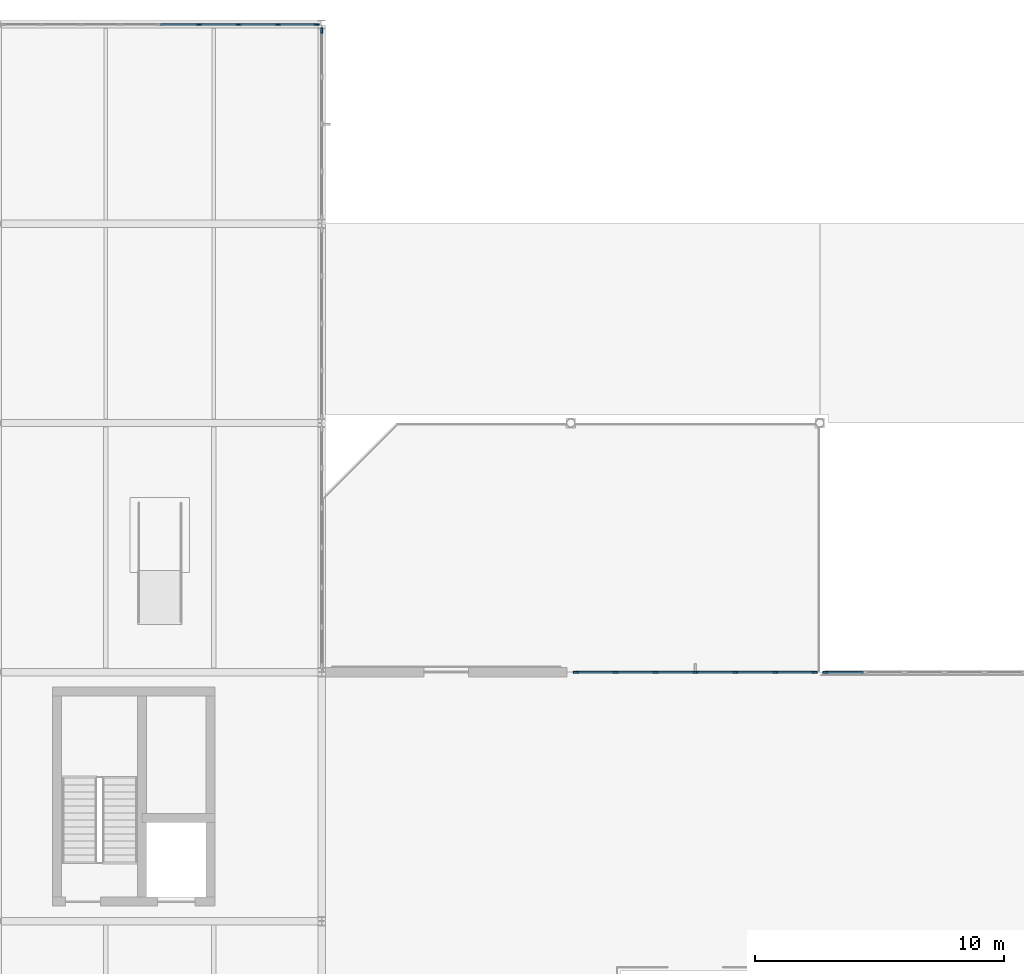
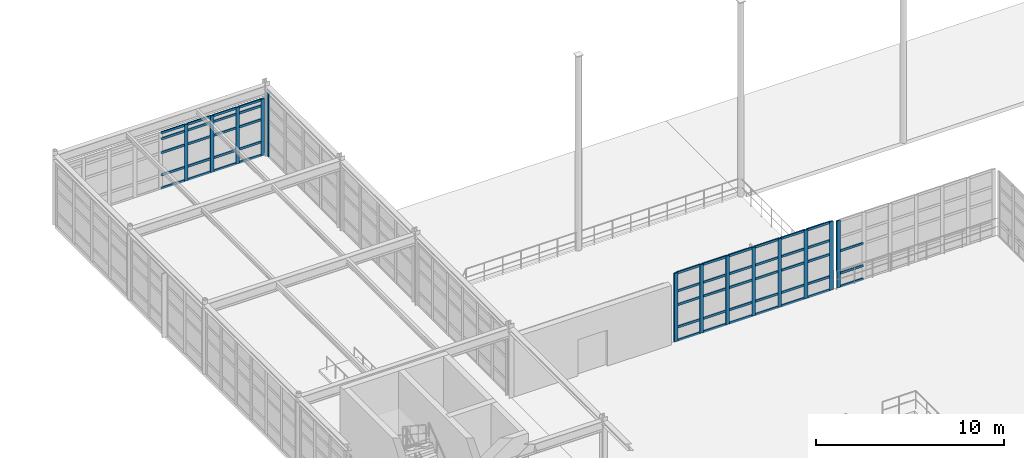
# One storey, part 53 of 139: 66 members, 4 elements without a shape of their own.
"""IFC4 building model written with IfcOpenShell, lengths in metres."""

import ifcopenshell
import ifcopenshell.guid

model = None  # the IFC model being written
_history = None  # IfcOwnerHistory: only IFC2X3 demands one
_inside = {}  # id of a spatial element -> (the spatial element, [elements in it])
_under = {}  # id of a project, library or spatial element -> (it, [spatial elements below it])
_declared = {}  # id of a project -> (the project, [libraries it declares])
_typed = {}  # id of a type object -> (the type object, [elements of that type])
_made_of = {}  # id of a material, layer set ... -> (it, [elements and type objects made of it])


def new_model(schema):
    """Start an empty IFC model of exactly this schema.

    Asked for "IFC4X3", IfcOpenShell would pick the latest addendum, in which some entities
    have other attributes; the version numbers below select the first issue.
    IFC2X3 requires an IfcOwnerHistory on every rooted entity: one is made here for all.
    """
    global model, _history
    if schema == "IFC4X3":
        model = ifcopenshell.file(schema_version=(4, 3, 0, 0))
    else:
        model = ifcopenshell.file(schema=schema)
    _inside.clear()
    _under.clear()
    _declared.clear()
    _typed.clear()
    _made_of.clear()
    _history = None
    if model.schema == "IFC2X3":
        org = make("IfcOrganization", Name="unknown")
        user = make(
            "IfcPersonAndOrganization",
            ThePerson=make("IfcPerson", FamilyName="unknown"),
            TheOrganization=org,
        )
        app = make(
            "IfcApplication",
            ApplicationDeveloper=org,
            Version="unknown",
            ApplicationFullName="unknown",
            ApplicationIdentifier="unknown",
        )
        _history = make(
            "IfcOwnerHistory",
            OwningUser=user,
            OwningApplication=app,
            ChangeAction="ADDED",
            CreationDate=0,
        )
    return model


def make(cls, **values):
    """One entity of the class cls with the attributes given. An attribute that is None is left unset."""
    return model.create_entity(
        cls, **{name: value for name, value in values.items() if value is not None}
    )


def rooted(cls, **values):
    """An entity with a GlobalId (a new one), such as an element, a storey or a relation."""
    return make(cls, GlobalId=ifcopenshell.guid.new(), OwnerHistory=_history, **values)


def si_unit(unit_type, name, prefix=None):
    """IfcSIUnit, for example si_unit("LENGTHUNIT", "METRE", prefix="MILLI")."""
    return make("IfcSIUnit", UnitType=unit_type, Prefix=prefix, Name=name)


def assignment(units):
    """IfcUnitAssignment: the units of a project."""
    return None if units is None else make("IfcUnitAssignment", Units=units)


def point(xyz):
    """IfcCartesianPoint."""
    return None if xyz is None else make("IfcCartesianPoint", Coordinates=xyz)


def direction(xyz):
    """IfcDirection."""
    return None if xyz is None else make("IfcDirection", DirectionRatios=xyz)


def frame(location, z_axis=None, x_axis=None):
    """IfcAxis2Placement3D, a coordinate frame: its origin and axes. An axis left out is left unset."""
    return make(
        "IfcAxis2Placement3D",
        Location=point(location),
        Axis=direction(z_axis),
        RefDirection=direction(x_axis),
    )


def frame_2d(location, x_axis=None):
    """IfcAxis2Placement2D, a coordinate frame in the plane: its origin and x axis."""
    return make(
        "IfcAxis2Placement2D", Location=point(location), RefDirection=direction(x_axis)
    )


def origin():
    """The frame at (0, 0, 0) with its axes left unset."""
    return frame((0.0, 0.0, 0.0))


def origin_2d():
    """The frame at (0, 0) in the plane with its x axis left unset."""
    return frame_2d((0.0, 0.0))


def place(relative_to, where):
    """IfcLocalPlacement: puts the frame where relative to a parent placement (None: the world)."""
    return make(
        "IfcLocalPlacement", PlacementRelTo=relative_to, RelativePlacement=where
    )


def context(
    kind, dimensions, precision=None, world=None, true_north=None, identifier=None
):
    """IfcGeometricRepresentationContext, for example the 3D "Model" context."""
    return make(
        "IfcGeometricRepresentationContext",
        ContextIdentifier=identifier,
        ContextType=kind,
        CoordinateSpaceDimension=dimensions,
        Precision=precision,
        WorldCoordinateSystem=world,
        TrueNorth=true_north,
    )


def subcontext(parent, identifier, kind, view, scale=None):
    """IfcGeometricRepresentationSubContext, for example "Body" below "Model"."""
    return make(
        "IfcGeometricRepresentationSubContext",
        ContextIdentifier=identifier,
        ContextType=kind,
        ParentContext=parent,
        TargetScale=scale,
        TargetView=view,
    )


def project(units=None, contexts=None):
    """IfcProject with its units and contexts."""
    return rooted(
        "IfcProject",
        Name="project",
        RepresentationContexts=contexts,
        UnitsInContext=assignment(units),
    )


def spatial(cls, under=None, at=None, **own):
    """A site, building, storey or space (cls), placed at a placement, below another one or the project."""
    s = rooted(cls, ObjectPlacement=at, **own)
    if under is not None:
        _under.setdefault(under.id(), (under, []))[1].append(s)
    return s


def profile(cls, at=None, kind="AREA", **sizes):
    """A parametric profile (cls). Its sizes go by their IFC names, for example OverallWidth=200.0."""
    return make(cls, ProfileType=kind, Position=at, **sizes)


def rectangle(**sizes):
    """IfcRectangleProfileDef."""
    return profile("IfcRectangleProfileDef", **sizes)


def extrude(swept, where, along, depth):
    """IfcExtrudedAreaSolid: the profile swept, set in the frame where, extruded along a direction by depth."""
    return make(
        "IfcExtrudedAreaSolid",
        SweptArea=swept,
        Position=where,
        ExtrudedDirection=direction(along),
        Depth=depth,
    )


def shape(context_of_items, identifier, shape_type, items):
    """IfcShapeRepresentation: the items that make up one representation, for example the "Body"."""
    return make(
        "IfcShapeRepresentation",
        ContextOfItems=context_of_items,
        RepresentationIdentifier=identifier,
        RepresentationType=shape_type,
        Items=items,
    )


def material(Name=None, Category=None):
    """IfcMaterial."""
    return make("IfcMaterial", Name=Name, Category=Category)


def layer(
    of_material, thickness, ventilated=None, Name=None, Category=None, Priority=None
):
    """IfcMaterialLayer: one layer of a wall or slab, of a material (None: an air gap)."""
    return make(
        "IfcMaterialLayer",
        Material=of_material,
        LayerThickness=thickness,
        IsVentilated=ventilated,
        Name=Name,
        Category=Category,
        Priority=Priority,
    )


def layer_set(layers, Name=None):
    """IfcMaterialLayerSet."""
    return make("IfcMaterialLayerSet", MaterialLayers=layers, LayerSetName=Name)


def material_profile(
    of_material, cross_section, Name=None, Category=None, Priority=None
):
    """IfcMaterialProfile: a cross section and its material."""
    return make(
        "IfcMaterialProfile",
        Name=Name,
        Material=of_material,
        Profile=cross_section,
        Priority=Priority,
        Category=Category,
    )


def profile_set(profiles, Name=None, composite=None):
    """IfcMaterialProfileSet."""
    return make(
        "IfcMaterialProfileSet",
        Name=Name,
        MaterialProfiles=profiles,
        CompositeProfile=composite,
    )


def made_of(thing, what):
    """Note that an element or type object is made of a material, layer set ...; save() writes the relation."""
    if what is not None:
        _made_of.setdefault(what.id(), (what, []))[1].append(thing)
    return thing


def type_object(cls, material=None, **own):
    """A type object (cls), such as IfcWallType, which elements share."""
    return made_of(rooted(cls, **own), material)


def element(
    cls,
    number,
    at=None,
    inside=None,
    cuts=None,
    type_object=None,
    material=None,
    context=None,
    identifier="Body",
    shape_type=None,
    held_by="IfcProductDefinitionShape",
    body=None,
    shapes=None,
    **own,
):
    """One element of the class cls, such as IfcWall. Its Tag is "e" and its number.

    at: its placement. inside: the storey or other place that contains it. cuts: it is an
    opening in that element (IfcRelVoidsElement). A single representation is given by context,
    identifier, shape_type and body (its items); several are given by shapes. held_by: the class
    of the entity that holds the representations. save() writes the other relations.
    """
    e = rooted(cls, Tag="e%d" % number, ObjectPlacement=at, **own)
    if body is not None:
        shapes = [shape(context, identifier, shape_type, body)]
    if shapes is not None:
        e.Representation = make(held_by, Representations=shapes)
    if inside is not None:
        _inside.setdefault(inside.id(), (inside, []))[1].append(e)
    if cuts is not None:
        rooted(
            "IfcRelVoidsElement", RelatingBuildingElement=cuts, RelatedOpeningElement=e
        )
    if type_object is not None:
        _typed.setdefault(type_object.id(), (type_object, []))[1].append(e)
    return made_of(e, material)


def aggregate(whole, parts):
    """IfcRelAggregates: a whole, such as a stair, and the parts it consists of."""
    return rooted("IfcRelAggregates", RelatingObject=whole, RelatedObjects=parts)


def save(model, path):
    """Write the relations noted so far, then the file.

    IfcRelAggregates (storeys below a building ...), IfcRelContainedInSpatialStructure (elements
    in a storey), IfcRelDefinesByType, IfcRelAssociatesMaterial and IfcRelDeclares: one each for
    every whole, place, type object, material and project.
    """
    for whole, parts in _under.values():
        aggregate(whole, parts)
    for where, things in _inside.values():
        rooted(
            "IfcRelContainedInSpatialStructure",
            RelatedElements=things,
            RelatingStructure=where,
        )
    for kind, things in _typed.values():
        rooted("IfcRelDefinesByType", RelatedObjects=things, RelatingType=kind)
    for what, things in _made_of.values():
        rooted("IfcRelAssociatesMaterial", RelatedObjects=things, RelatingMaterial=what)
    for by, libraries in _declared.values():
        rooted("IfcRelDeclares", RelatingContext=by, RelatedDefinitions=libraries)
    model.write(path)


model = new_model("IFC4")

# Units and contexts
model_context = context("Model", 3, precision=1e-05, world=origin(), true_north=direction((0.0, 1.0)))
body_context = subcontext(model_context, "Body", "Model", "MODEL_VIEW")
ifc_project = project(units=[si_unit("LENGTHUNIT", "METRE"), si_unit("AREAUNIT", "SQUARE_METRE"), si_unit("VOLUMEUNIT", "CUBIC_METRE"), si_unit("PLANEANGLEUNIT", "RADIAN"), si_unit("MASSUNIT", "GRAM", prefix="KILO"), si_unit("THERMODYNAMICTEMPERATUREUNIT", "KELVIN"), si_unit("POWERUNIT", "WATT")], contexts=[model_context])

# Site, building, storey
site_placement = place(None, origin())
site = spatial("IfcSite", under=ifc_project, at=site_placement, CompositionType="ELEMENT")
building_placement = place(site_placement, origin())
building = spatial("IfcBuilding", under=site, at=building_placement, Name="Korenveer Ferry Terminal", CompositionType="ELEMENT")
storey_placement = place(building_placement, frame((0.0, 0.0, 5.39990234375)))
storey = spatial("IfcBuildingStorey", under=building, at=storey_placement, Name="L01", CompositionType="ELEMENT", Elevation=5.39990234375)

# Curtain wall, members
ifc_material_1 = material(Name="Unitised bronze-and-glass curtain wall", Category="glass")
ifc_layer_1 = layer(ifc_material_1, 0.219970703125)
ifc_layer_set_1 = layer_set([ifc_layer_1], Name="Unitised bronze-and-glass curtain wall")
curtain_wall_type_1 = type_object("IfcCurtainWallType", Name="ENV-CW-52", PredefinedType="USERDEFINED", material=ifc_layer_set_1)
curtain_wall_1_placement = place(storey_placement, frame((63.179931640625, 90.0, 0.0)))
curtain_wall_1 = element("IfcCurtainWall", 1, at=curtain_wall_1_placement, inside=storey, type_object=curtain_wall_type_1, Name="Lancet curtain wall CWX-L01-X63-73-Y90-90", ObjectType="UNITISED CURTAIN WALL", PredefinedType="USERDEFINED")
ifc_material_2 = material(Name="Anodised bronze aluminium", Category="aluminium")
ifc_material_profile_1 = material_profile(ifc_material_2, rectangle(XDim=0.074951171875, YDim=0.219970703125, at=origin_2d()), Name="ALU 75x220")
ifc_profile_set_1 = profile_set([ifc_material_profile_1], Name="Anodised bronze aluminium")
member_type_1 = type_object("IfcMemberType", Name="ENV-CWM-75X220", PredefinedType="MULLION", material=ifc_profile_set_1)
member_1_placement = place(storey_placement, frame((63.217529296875, 90.0, 0.0), z_axis=(0.0, 0.0, 1.0), x_axis=(0.0, 1.0, 0.0)))
member_1 = element("IfcMember", 2, at=member_1_placement, type_object=member_type_1, Name="CW-52 mullion 1", PredefinedType="MULLION", context=body_context, shape_type="SweptSolid", body=[
    extrude(rectangle(XDim=0.074951171875, YDim=0.219970703125, at=origin_2d()), origin(), (0.0, 0.0, 1.0), 4.460205078125),
])
member_2_placement = place(storey_placement, frame((64.78662109375, 90.0, 0.0), z_axis=(0.0, 0.0, 1.0), x_axis=(0.0, 1.0, 0.0)))
member_2 = element("IfcMember", 3, at=member_2_placement, type_object=member_type_1, Name="CW-52 mullion 2", PredefinedType="MULLION", context=body_context, shape_type="SweptSolid", body=[
    extrude(rectangle(XDim=0.074951171875, YDim=0.219970703125, at=origin_2d()), origin(), (0.0, 0.0, 1.0), 4.460205078125),
])
member_3_placement = place(storey_placement, frame((66.393310546875, 90.0, 0.0), z_axis=(0.0, 0.0, 1.0), x_axis=(0.0, 1.0, 0.0)))
member_3 = element("IfcMember", 4, at=member_3_placement, type_object=member_type_1, Name="CW-52 mullion 3", PredefinedType="MULLION", context=body_context, shape_type="SweptSolid", body=[
    extrude(rectangle(XDim=0.074951171875, YDim=0.219970703125, at=origin_2d()), origin(), (0.0, 0.0, 1.0), 4.460205078125),
])
member_4_placement = place(storey_placement, frame((68.0, 90.0, 0.0), z_axis=(0.0, 0.0, 1.0), x_axis=(0.0, 1.0, 0.0)))
member_4 = element("IfcMember", 5, at=member_4_placement, type_object=member_type_1, Name="CW-52 mullion 4", PredefinedType="MULLION", context=body_context, shape_type="SweptSolid", body=[
    extrude(rectangle(XDim=0.074951171875, YDim=0.219970703125, at=origin_2d()), origin(), (0.0, 0.0, 1.0), 4.460205078125),
])
member_5_placement = place(storey_placement, frame((69.606689453125, 90.0, 0.0), z_axis=(0.0, 0.0, 1.0), x_axis=(0.0, 1.0, 0.0)))
member_5 = element("IfcMember", 6, at=member_5_placement, type_object=member_type_1, Name="CW-52 mullion 5", PredefinedType="MULLION", context=body_context, shape_type="SweptSolid", body=[
    extrude(rectangle(XDim=0.074951171875, YDim=0.219970703125, at=origin_2d()), origin(), (0.0, 0.0, 1.0), 4.460205078125),
])
member_6_placement = place(storey_placement, frame((71.21337890625, 90.0, 0.0), z_axis=(0.0, 0.0, 1.0), x_axis=(0.0, 1.0, 0.0)))
member_6 = element("IfcMember", 7, at=member_6_placement, type_object=member_type_1, Name="CW-52 mullion 6", PredefinedType="MULLION", context=body_context, shape_type="SweptSolid", body=[
    extrude(rectangle(XDim=0.074951171875, YDim=0.219970703125, at=origin_2d()), origin(), (0.0, 0.0, 1.0), 4.460205078125),
])
member_7_placement = place(storey_placement, frame((72.782470703125, 90.0, 0.0), z_axis=(0.0, 0.0, 1.0), x_axis=(0.0, 1.0, 0.0)))
member_7 = element("IfcMember", 8, at=member_7_placement, type_object=member_type_1, Name="CW-52 mullion 7", PredefinedType="MULLION", context=body_context, shape_type="SweptSolid", body=[
    extrude(rectangle(XDim=0.074951171875, YDim=0.219970703125, at=origin_2d()), origin(), (0.0, 0.0, 1.0), 4.460205078125),
])

# Curtain wall, member
ifc_layer_2 = layer(ifc_material_1, 0.219970703125)
ifc_layer_set_2 = layer_set([ifc_layer_2], Name="Unitised bronze-and-glass curtain wall")
curtain_wall_type_2 = type_object("IfcCurtainWallType", Name="ENV-CW-54", PredefinedType="USERDEFINED", material=ifc_layer_set_2)
curtain_wall_2_placement = place(storey_placement, frame((73.179931640625, 90.0, 0.0)))
curtain_wall_2 = element("IfcCurtainWall", 9, at=curtain_wall_2_placement, inside=storey, type_object=curtain_wall_type_2, Name="Lancet curtain wall CWX-L01-X73-83-Y90-90", ObjectType="UNITISED CURTAIN WALL", PredefinedType="USERDEFINED")
member_8_placement = place(storey_placement, frame((73.217529296875, 90.0, 0.0), z_axis=(0.0, 0.0, 1.0), x_axis=(0.0, 1.0, 0.0)))
member_8 = element("IfcMember", 10, at=member_8_placement, type_object=member_type_1, Name="CW-54 mullion 1", PredefinedType="MULLION", context=body_context, shape_type="SweptSolid", body=[
    extrude(rectangle(XDim=0.074951171875, YDim=0.219970703125, at=origin_2d()), origin(), (0.0, 0.0, 1.0), 4.360107421875),
])

# Curtain wall, members
ifc_layer_3 = layer(ifc_material_1, 0.219970703125)
ifc_layer_set_3 = layer_set([ifc_layer_3], Name="Unitised bronze-and-glass curtain wall")
curtain_wall_type_3 = type_object("IfcCurtainWallType", Name="ENV-CW-56", PredefinedType="USERDEFINED", material=ifc_layer_set_3)
curtain_wall_3_placement = place(storey_placement, frame((40.16650390625, 116.0, 0.0)))
curtain_wall_3 = element("IfcCurtainWall", 11, at=curtain_wall_3_placement, inside=storey, type_object=curtain_wall_type_3, Name="Lancet curtain wall CWX-L01-X40-53-Y116-116", ObjectType="UNITISED CURTAIN WALL", PredefinedType="USERDEFINED")
member_9_placement = place(storey_placement, frame((48.074951171875, 116.0, 0.0), z_axis=(0.0, 0.0, 1.0), x_axis=(0.0, 1.0, 0.0)))
member_9 = element("IfcMember", 12, at=member_9_placement, type_object=member_type_1, Name="CW-56 mullion 6", PredefinedType="MULLION", context=body_context, shape_type="SweptSolid", body=[
    extrude(rectangle(XDim=0.074951171875, YDim=0.219970703125, at=origin_2d()), origin(), (0.0, 0.0, 1.0), 3.670166015625),
])
member_10_placement = place(storey_placement, frame((49.65673828125, 116.0, 0.0), z_axis=(0.0, 0.0, 1.0), x_axis=(0.0, 1.0, 0.0)))
member_10 = element("IfcMember", 13, at=member_10_placement, type_object=member_type_1, Name="CW-56 mullion 7", PredefinedType="MULLION", context=body_context, shape_type="SweptSolid", body=[
    extrude(rectangle(XDim=0.074951171875, YDim=0.219970703125, at=origin_2d()), origin(), (0.0, 0.0, 1.0), 3.670166015625),
])
member_11_placement = place(storey_placement, frame((51.23828125, 116.0, 0.0), z_axis=(0.0, 0.0, 1.0), x_axis=(0.0, 1.0, 0.0)))
member_11 = element("IfcMember", 14, at=member_11_placement, type_object=member_type_1, Name="CW-56 mullion 8", PredefinedType="MULLION", context=body_context, shape_type="SweptSolid", body=[
    extrude(rectangle(XDim=0.074951171875, YDim=0.219970703125, at=origin_2d()), origin(), (0.0, 0.0, 1.0), 3.670166015625),
])
member_12_placement = place(storey_placement, frame((52.782470703125, 116.0, 0.0), z_axis=(0.0, 0.0, 1.0), x_axis=(0.0, 1.0, 0.0)))
member_12 = element("IfcMember", 15, at=member_12_placement, type_object=member_type_1, Name="CW-56 mullion 9", PredefinedType="MULLION", context=body_context, shape_type="SweptSolid", body=[
    extrude(rectangle(XDim=0.074951171875, YDim=0.219970703125, at=origin_2d()), origin(), (0.0, 0.0, 1.0), 3.670166015625),
])

# Curtain wall, member
ifc_layer_4 = layer(ifc_material_1, 0.219970703125)
ifc_layer_set_4 = layer_set([ifc_layer_4], Name="Unitised bronze-and-glass curtain wall")
curtain_wall_type_4 = type_object("IfcCurtainWallType", Name="ENV-CW-72", PredefinedType="USERDEFINED", material=ifc_layer_set_4)
curtain_wall_4_placement = place(storey_placement, frame((53.0, 115.7900390625, 0.0)))
curtain_wall_4 = element("IfcCurtainWall", 16, at=curtain_wall_4_placement, inside=storey, type_object=curtain_wall_type_4, Name="Lancet curtain wall CWX-L01-X53-53-Y108-116", ObjectType="UNITISED CURTAIN WALL", PredefinedType="USERDEFINED")
member_13_placement = place(storey_placement, frame((53.0, 115.75244140625, 0.0), z_axis=(0.0, 0.0, 1.0), x_axis=(1.0, 0.0, 0.0)))
member_13 = element("IfcMember", 17, at=member_13_placement, type_object=member_type_1, Name="CW-72 mullion 1", PredefinedType="MULLION", context=body_context, shape_type="SweptSolid", body=[
    extrude(rectangle(XDim=0.074951171875, YDim=0.219970703125, at=origin_2d()), origin(), (0.0, 0.0, 1.0), 4.130126953125),
])
aggregate(curtain_wall_4, [member_13])

# Member
ifc_material_profile_2 = material_profile(ifc_material_2, rectangle(XDim=0.074951171875, YDim=0.14990234375, at=origin_2d()), Name="ALU 75x150")
ifc_profile_set_2 = profile_set([ifc_material_profile_2], Name="Anodised bronze aluminium")
member_type_2 = type_object("IfcMemberType", Name="ENV-CWT-75X150", PredefinedType="USERDEFINED", material=ifc_profile_set_2)
member_14_placement = place(storey_placement, frame((63.2548828125, 90.0, 0.03759765625), z_axis=(1.0, 0.0, 0.0), x_axis=(0.0, 1.0, 0.0)))
member_14 = element("IfcMember", 18, at=member_14_placement, type_object=member_type_2, Name="CW-52 transom 1.1", ObjectType="TRANSOM", PredefinedType="USERDEFINED", context=body_context, shape_type="SweptSolid", body=[
    extrude(rectangle(XDim=0.074951171875, YDim=0.14990234375, at=origin_2d()), origin(), (0.0, 0.0, 1.0), 1.494384765625),
])

member_15_placement = place(storey_placement, frame((63.2548828125, 90.0, 0.900146484375), z_axis=(1.0, 0.0, 0.0), x_axis=(0.0, 1.0, 0.0)))
member_15 = element("IfcMember", 19, at=member_15_placement, type_object=member_type_2, Name="CW-52 transom 1.2", ObjectType="TRANSOM", PredefinedType="USERDEFINED", context=body_context, shape_type="SweptSolid", body=[
    extrude(rectangle(XDim=0.074951171875, YDim=0.14990234375, at=origin_2d()), origin(), (0.0, 0.0, 1.0), 1.494384765625),
])

member_16_placement = place(storey_placement, frame((63.2548828125, 90.0, 2.35009765625), z_axis=(1.0, 0.0, 0.0), x_axis=(0.0, 1.0, 0.0)))
member_16 = element("IfcMember", 20, at=member_16_placement, type_object=member_type_2, Name="CW-52 transom 1.3", ObjectType="TRANSOM", PredefinedType="USERDEFINED", context=body_context, shape_type="SweptSolid", body=[
    extrude(rectangle(XDim=0.074951171875, YDim=0.14990234375, at=origin_2d()), origin(), (0.0, 0.0, 1.0), 1.494384765625),
])

member_17_placement = place(storey_placement, frame((63.2548828125, 90.0, 3.25), z_axis=(1.0, 0.0, 0.0), x_axis=(0.0, 1.0, 0.0)))
member_17 = element("IfcMember", 21, at=member_17_placement, type_object=member_type_2, Name="CW-52 transom 1.4", ObjectType="TRANSOM", PredefinedType="USERDEFINED", context=body_context, shape_type="SweptSolid", body=[
    extrude(rectangle(XDim=0.074951171875, YDim=0.14990234375, at=origin_2d()), origin(), (0.0, 0.0, 1.0), 1.494384765625),
])

member_18_placement = place(storey_placement, frame((63.2548828125, 90.0, 4.422607421875), z_axis=(1.0, 0.0, 0.0), x_axis=(0.0, 1.0, 0.0)))
member_18 = element("IfcMember", 22, at=member_18_placement, type_object=member_type_2, Name="CW-52 transom 1.5", ObjectType="TRANSOM", PredefinedType="USERDEFINED", context=body_context, shape_type="SweptSolid", body=[
    extrude(rectangle(XDim=0.074951171875, YDim=0.14990234375, at=origin_2d()), origin(), (0.0, 0.0, 1.0), 1.494384765625),
])

member_19_placement = place(storey_placement, frame((64.82421875, 90.0, 0.03759765625), z_axis=(1.0, 0.0, 0.0), x_axis=(0.0, 1.0, 0.0)))
member_19 = element("IfcMember", 23, at=member_19_placement, type_object=member_type_2, Name="CW-52 transom 2.1", ObjectType="TRANSOM", PredefinedType="USERDEFINED", context=body_context, shape_type="SweptSolid", body=[
    extrude(rectangle(XDim=0.074951171875, YDim=0.14990234375, at=origin_2d()), origin(), (0.0, 0.0, 1.0), 1.531494140625),
])

member_20_placement = place(storey_placement, frame((64.82421875, 90.0, 0.900146484375), z_axis=(1.0, 0.0, 0.0), x_axis=(0.0, 1.0, 0.0)))
member_20 = element("IfcMember", 24, at=member_20_placement, type_object=member_type_2, Name="CW-52 transom 2.2", ObjectType="TRANSOM", PredefinedType="USERDEFINED", context=body_context, shape_type="SweptSolid", body=[
    extrude(rectangle(XDim=0.074951171875, YDim=0.14990234375, at=origin_2d()), origin(), (0.0, 0.0, 1.0), 1.531494140625),
])

member_21_placement = place(storey_placement, frame((64.82421875, 90.0, 2.35009765625), z_axis=(1.0, 0.0, 0.0), x_axis=(0.0, 1.0, 0.0)))
member_21 = element("IfcMember", 25, at=member_21_placement, type_object=member_type_2, Name="CW-52 transom 2.3", ObjectType="TRANSOM", PredefinedType="USERDEFINED", context=body_context, shape_type="SweptSolid", body=[
    extrude(rectangle(XDim=0.074951171875, YDim=0.14990234375, at=origin_2d()), origin(), (0.0, 0.0, 1.0), 1.531494140625),
])

member_22_placement = place(storey_placement, frame((64.82421875, 90.0, 3.25), z_axis=(1.0, 0.0, 0.0), x_axis=(0.0, 1.0, 0.0)))
member_22 = element("IfcMember", 26, at=member_22_placement, type_object=member_type_2, Name="CW-52 transom 2.4", ObjectType="TRANSOM", PredefinedType="USERDEFINED", context=body_context, shape_type="SweptSolid", body=[
    extrude(rectangle(XDim=0.074951171875, YDim=0.14990234375, at=origin_2d()), origin(), (0.0, 0.0, 1.0), 1.531494140625),
])

member_23_placement = place(storey_placement, frame((64.82421875, 90.0, 4.422607421875), z_axis=(1.0, 0.0, 0.0), x_axis=(0.0, 1.0, 0.0)))
member_23 = element("IfcMember", 27, at=member_23_placement, type_object=member_type_2, Name="CW-52 transom 2.5", ObjectType="TRANSOM", PredefinedType="USERDEFINED", context=body_context, shape_type="SweptSolid", body=[
    extrude(rectangle(XDim=0.074951171875, YDim=0.14990234375, at=origin_2d()), origin(), (0.0, 0.0, 1.0), 1.531494140625),
])

member_24_placement = place(storey_placement, frame((66.430908203125, 90.0, 0.03759765625), z_axis=(1.0, 0.0, 0.0), x_axis=(0.0, 1.0, 0.0)))
member_24 = element("IfcMember", 28, at=member_24_placement, type_object=member_type_2, Name="CW-52 transom 3.1", ObjectType="TRANSOM", PredefinedType="USERDEFINED", context=body_context, shape_type="SweptSolid", body=[
    extrude(rectangle(XDim=0.074951171875, YDim=0.14990234375, at=origin_2d()), origin(), (0.0, 0.0, 1.0), 1.531494140625),
])

member_25_placement = place(storey_placement, frame((66.430908203125, 90.0, 0.900146484375), z_axis=(1.0, 0.0, 0.0), x_axis=(0.0, 1.0, 0.0)))
member_25 = element("IfcMember", 29, at=member_25_placement, type_object=member_type_2, Name="CW-52 transom 3.2", ObjectType="TRANSOM", PredefinedType="USERDEFINED", context=body_context, shape_type="SweptSolid", body=[
    extrude(rectangle(XDim=0.074951171875, YDim=0.14990234375, at=origin_2d()), origin(), (0.0, 0.0, 1.0), 1.531494140625),
])

member_26_placement = place(storey_placement, frame((66.430908203125, 90.0, 2.35009765625), z_axis=(1.0, 0.0, 0.0), x_axis=(0.0, 1.0, 0.0)))
member_26 = element("IfcMember", 30, at=member_26_placement, type_object=member_type_2, Name="CW-52 transom 3.3", ObjectType="TRANSOM", PredefinedType="USERDEFINED", context=body_context, shape_type="SweptSolid", body=[
    extrude(rectangle(XDim=0.074951171875, YDim=0.14990234375, at=origin_2d()), origin(), (0.0, 0.0, 1.0), 1.531494140625),
])

member_27_placement = place(storey_placement, frame((66.430908203125, 90.0, 3.25), z_axis=(1.0, 0.0, 0.0), x_axis=(0.0, 1.0, 0.0)))
member_27 = element("IfcMember", 31, at=member_27_placement, type_object=member_type_2, Name="CW-52 transom 3.4", ObjectType="TRANSOM", PredefinedType="USERDEFINED", context=body_context, shape_type="SweptSolid", body=[
    extrude(rectangle(XDim=0.074951171875, YDim=0.14990234375, at=origin_2d()), origin(), (0.0, 0.0, 1.0), 1.531494140625),
])

member_28_placement = place(storey_placement, frame((66.430908203125, 90.0, 4.422607421875), z_axis=(1.0, 0.0, 0.0), x_axis=(0.0, 1.0, 0.0)))
member_28 = element("IfcMember", 32, at=member_28_placement, type_object=member_type_2, Name="CW-52 transom 3.5", ObjectType="TRANSOM", PredefinedType="USERDEFINED", context=body_context, shape_type="SweptSolid", body=[
    extrude(rectangle(XDim=0.074951171875, YDim=0.14990234375, at=origin_2d()), origin(), (0.0, 0.0, 1.0), 1.531494140625),
])

member_29_placement = place(storey_placement, frame((68.03759765625, 90.0, 0.03759765625), z_axis=(1.0, 0.0, 0.0), x_axis=(0.0, 1.0, 0.0)))
member_29 = element("IfcMember", 33, at=member_29_placement, type_object=member_type_2, Name="CW-52 transom 4.1", ObjectType="TRANSOM", PredefinedType="USERDEFINED", context=body_context, shape_type="SweptSolid", body=[
    extrude(rectangle(XDim=0.074951171875, YDim=0.14990234375, at=origin_2d()), origin(), (0.0, 0.0, 1.0), 1.531494140625),
])

member_30_placement = place(storey_placement, frame((68.03759765625, 90.0, 0.900146484375), z_axis=(1.0, 0.0, 0.0), x_axis=(0.0, 1.0, 0.0)))
member_30 = element("IfcMember", 34, at=member_30_placement, type_object=member_type_2, Name="CW-52 transom 4.2", ObjectType="TRANSOM", PredefinedType="USERDEFINED", context=body_context, shape_type="SweptSolid", body=[
    extrude(rectangle(XDim=0.074951171875, YDim=0.14990234375, at=origin_2d()), origin(), (0.0, 0.0, 1.0), 1.531494140625),
])

member_31_placement = place(storey_placement, frame((68.03759765625, 90.0, 2.35009765625), z_axis=(1.0, 0.0, 0.0), x_axis=(0.0, 1.0, 0.0)))
member_31 = element("IfcMember", 35, at=member_31_placement, type_object=member_type_2, Name="CW-52 transom 4.3", ObjectType="TRANSOM", PredefinedType="USERDEFINED", context=body_context, shape_type="SweptSolid", body=[
    extrude(rectangle(XDim=0.074951171875, YDim=0.14990234375, at=origin_2d()), origin(), (0.0, 0.0, 1.0), 1.531494140625),
])

member_32_placement = place(storey_placement, frame((68.03759765625, 90.0, 3.25), z_axis=(1.0, 0.0, 0.0), x_axis=(0.0, 1.0, 0.0)))
member_32 = element("IfcMember", 36, at=member_32_placement, type_object=member_type_2, Name="CW-52 transom 4.4", ObjectType="TRANSOM", PredefinedType="USERDEFINED", context=body_context, shape_type="SweptSolid", body=[
    extrude(rectangle(XDim=0.074951171875, YDim=0.14990234375, at=origin_2d()), origin(), (0.0, 0.0, 1.0), 1.531494140625),
])

member_33_placement = place(storey_placement, frame((68.03759765625, 90.0, 4.422607421875), z_axis=(1.0, 0.0, 0.0), x_axis=(0.0, 1.0, 0.0)))
member_33 = element("IfcMember", 37, at=member_33_placement, type_object=member_type_2, Name="CW-52 transom 4.5", ObjectType="TRANSOM", PredefinedType="USERDEFINED", context=body_context, shape_type="SweptSolid", body=[
    extrude(rectangle(XDim=0.074951171875, YDim=0.14990234375, at=origin_2d()), origin(), (0.0, 0.0, 1.0), 1.531494140625),
])

member_34_placement = place(storey_placement, frame((69.644287109375, 90.0, 0.03759765625), z_axis=(1.0, 0.0, 0.0), x_axis=(0.0, 1.0, 0.0)))
member_34 = element("IfcMember", 38, at=member_34_placement, type_object=member_type_2, Name="CW-52 transom 5.1", ObjectType="TRANSOM", PredefinedType="USERDEFINED", context=body_context, shape_type="SweptSolid", body=[
    extrude(rectangle(XDim=0.074951171875, YDim=0.14990234375, at=origin_2d()), origin(), (0.0, 0.0, 1.0), 1.531494140625),
])

member_35_placement = place(storey_placement, frame((69.644287109375, 90.0, 0.900146484375), z_axis=(1.0, 0.0, 0.0), x_axis=(0.0, 1.0, 0.0)))
member_35 = element("IfcMember", 39, at=member_35_placement, type_object=member_type_2, Name="CW-52 transom 5.2", ObjectType="TRANSOM", PredefinedType="USERDEFINED", context=body_context, shape_type="SweptSolid", body=[
    extrude(rectangle(XDim=0.074951171875, YDim=0.14990234375, at=origin_2d()), origin(), (0.0, 0.0, 1.0), 1.531494140625),
])

member_36_placement = place(storey_placement, frame((69.644287109375, 90.0, 2.35009765625), z_axis=(1.0, 0.0, 0.0), x_axis=(0.0, 1.0, 0.0)))
member_36 = element("IfcMember", 40, at=member_36_placement, type_object=member_type_2, Name="CW-52 transom 5.3", ObjectType="TRANSOM", PredefinedType="USERDEFINED", context=body_context, shape_type="SweptSolid", body=[
    extrude(rectangle(XDim=0.074951171875, YDim=0.14990234375, at=origin_2d()), origin(), (0.0, 0.0, 1.0), 1.531494140625),
])

member_37_placement = place(storey_placement, frame((69.644287109375, 90.0, 3.25), z_axis=(1.0, 0.0, 0.0), x_axis=(0.0, 1.0, 0.0)))
member_37 = element("IfcMember", 41, at=member_37_placement, type_object=member_type_2, Name="CW-52 transom 5.4", ObjectType="TRANSOM", PredefinedType="USERDEFINED", context=body_context, shape_type="SweptSolid", body=[
    extrude(rectangle(XDim=0.074951171875, YDim=0.14990234375, at=origin_2d()), origin(), (0.0, 0.0, 1.0), 1.531494140625),
])

member_38_placement = place(storey_placement, frame((69.644287109375, 90.0, 4.422607421875), z_axis=(1.0, 0.0, 0.0), x_axis=(0.0, 1.0, 0.0)))
member_38 = element("IfcMember", 42, at=member_38_placement, type_object=member_type_2, Name="CW-52 transom 5.5", ObjectType="TRANSOM", PredefinedType="USERDEFINED", context=body_context, shape_type="SweptSolid", body=[
    extrude(rectangle(XDim=0.074951171875, YDim=0.14990234375, at=origin_2d()), origin(), (0.0, 0.0, 1.0), 1.531494140625),
])

member_39_placement = place(storey_placement, frame((71.250732421875, 90.0, 0.03759765625), z_axis=(1.0, 0.0, 0.0), x_axis=(0.0, 1.0, 0.0)))
member_39 = element("IfcMember", 43, at=member_39_placement, type_object=member_type_2, Name="CW-52 transom 6.1", ObjectType="TRANSOM", PredefinedType="USERDEFINED", context=body_context, shape_type="SweptSolid", body=[
    extrude(rectangle(XDim=0.074951171875, YDim=0.14990234375, at=origin_2d()), origin(), (0.0, 0.0, 1.0), 1.494384765625),
])

member_40_placement = place(storey_placement, frame((71.250732421875, 90.0, 0.900146484375), z_axis=(1.0, 0.0, 0.0), x_axis=(0.0, 1.0, 0.0)))
member_40 = element("IfcMember", 44, at=member_40_placement, type_object=member_type_2, Name="CW-52 transom 6.2", ObjectType="TRANSOM", PredefinedType="USERDEFINED", context=body_context, shape_type="SweptSolid", body=[
    extrude(rectangle(XDim=0.074951171875, YDim=0.14990234375, at=origin_2d()), origin(), (0.0, 0.0, 1.0), 1.494384765625),
])

member_41_placement = place(storey_placement, frame((71.250732421875, 90.0, 2.35009765625), z_axis=(1.0, 0.0, 0.0), x_axis=(0.0, 1.0, 0.0)))
member_41 = element("IfcMember", 45, at=member_41_placement, type_object=member_type_2, Name="CW-52 transom 6.3", ObjectType="TRANSOM", PredefinedType="USERDEFINED", context=body_context, shape_type="SweptSolid", body=[
    extrude(rectangle(XDim=0.074951171875, YDim=0.14990234375, at=origin_2d()), origin(), (0.0, 0.0, 1.0), 1.494384765625),
])

member_42_placement = place(storey_placement, frame((71.250732421875, 90.0, 3.25), z_axis=(1.0, 0.0, 0.0), x_axis=(0.0, 1.0, 0.0)))
member_42 = element("IfcMember", 46, at=member_42_placement, type_object=member_type_2, Name="CW-52 transom 6.4", ObjectType="TRANSOM", PredefinedType="USERDEFINED", context=body_context, shape_type="SweptSolid", body=[
    extrude(rectangle(XDim=0.074951171875, YDim=0.14990234375, at=origin_2d()), origin(), (0.0, 0.0, 1.0), 1.494384765625),
])

member_43_placement = place(storey_placement, frame((71.250732421875, 90.0, 4.422607421875), z_axis=(1.0, 0.0, 0.0), x_axis=(0.0, 1.0, 0.0)))
member_43 = element("IfcMember", 47, at=member_43_placement, type_object=member_type_2, Name="CW-52 transom 6.5", ObjectType="TRANSOM", PredefinedType="USERDEFINED", context=body_context, shape_type="SweptSolid", body=[
    extrude(rectangle(XDim=0.074951171875, YDim=0.14990234375, at=origin_2d()), origin(), (0.0, 0.0, 1.0), 1.494384765625),
])

aggregate(curtain_wall_1, [member_1, member_2, member_3, member_4, member_5, member_6, member_7, member_14, member_15, member_16, member_17, member_18, member_19, member_20, member_21, member_22, member_23, member_24, member_25, member_26, member_27, member_28, member_29, member_30, member_31, member_32, member_33, member_34, member_35, member_36, member_37, member_38, member_39, member_40, member_41, member_42, member_43])

member_44_placement = place(storey_placement, frame((73.2548828125, 90.0, 0.03759765625), z_axis=(1.0, 0.0, 0.0), x_axis=(0.0, 1.0, 0.0)))
member_44 = element("IfcMember", 48, at=member_44_placement, type_object=member_type_2, Name="CW-54 transom 1.1", ObjectType="TRANSOM", PredefinedType="USERDEFINED", context=body_context, shape_type="SweptSolid", body=[
    extrude(rectangle(XDim=0.074951171875, YDim=0.14990234375, at=origin_2d()), origin(), (0.0, 0.0, 1.0), 1.494384765625),
])

member_45_placement = place(storey_placement, frame((73.2548828125, 90.0, 0.900146484375), z_axis=(1.0, 0.0, 0.0), x_axis=(0.0, 1.0, 0.0)))
member_45 = element("IfcMember", 49, at=member_45_placement, type_object=member_type_2, Name="CW-54 transom 1.2", ObjectType="TRANSOM", PredefinedType="USERDEFINED", context=body_context, shape_type="SweptSolid", body=[
    extrude(rectangle(XDim=0.074951171875, YDim=0.14990234375, at=origin_2d()), origin(), (0.0, 0.0, 1.0), 1.494384765625),
])

member_46_placement = place(storey_placement, frame((73.2548828125, 90.0, 2.35009765625), z_axis=(1.0, 0.0, 0.0), x_axis=(0.0, 1.0, 0.0)))
member_46 = element("IfcMember", 50, at=member_46_placement, type_object=member_type_2, Name="CW-54 transom 1.3", ObjectType="TRANSOM", PredefinedType="USERDEFINED", context=body_context, shape_type="SweptSolid", body=[
    extrude(rectangle(XDim=0.074951171875, YDim=0.14990234375, at=origin_2d()), origin(), (0.0, 0.0, 1.0), 1.494384765625),
])

aggregate(curtain_wall_2, [member_8, member_44, member_45, member_46])

member_47_placement = place(storey_placement, frame((46.53076171875, 116.0, 0.03759765625), z_axis=(1.0, 0.0, 0.0), x_axis=(0.0, 1.0, 0.0)))
member_47 = element("IfcMember", 51, at=member_47_placement, type_object=member_type_2, Name="CW-56 transom 5.1", ObjectType="TRANSOM", PredefinedType="USERDEFINED", context=body_context, shape_type="SweptSolid", body=[
    extrude(rectangle(XDim=0.074951171875, YDim=0.14990234375, at=origin_2d()), origin(), (0.0, 0.0, 1.0), 1.506591796875),
])

member_48_placement = place(storey_placement, frame((46.53076171875, 116.0, 0.900146484375), z_axis=(1.0, 0.0, 0.0), x_axis=(0.0, 1.0, 0.0)))
member_48 = element("IfcMember", 52, at=member_48_placement, type_object=member_type_2, Name="CW-56 transom 5.2", ObjectType="TRANSOM", PredefinedType="USERDEFINED", context=body_context, shape_type="SweptSolid", body=[
    extrude(rectangle(XDim=0.074951171875, YDim=0.14990234375, at=origin_2d()), origin(), (0.0, 0.0, 1.0), 1.506591796875),
])

member_49_placement = place(storey_placement, frame((46.53076171875, 116.0, 2.35009765625), z_axis=(1.0, 0.0, 0.0), x_axis=(0.0, 1.0, 0.0)))
member_49 = element("IfcMember", 53, at=member_49_placement, type_object=member_type_2, Name="CW-56 transom 5.3", ObjectType="TRANSOM", PredefinedType="USERDEFINED", context=body_context, shape_type="SweptSolid", body=[
    extrude(rectangle(XDim=0.074951171875, YDim=0.14990234375, at=origin_2d()), origin(), (0.0, 0.0, 1.0), 1.506591796875),
])

member_50_placement = place(storey_placement, frame((46.53076171875, 116.0, 3.25), z_axis=(1.0, 0.0, 0.0), x_axis=(0.0, 1.0, 0.0)))
member_50 = element("IfcMember", 54, at=member_50_placement, type_object=member_type_2, Name="CW-56 transom 5.4", ObjectType="TRANSOM", PredefinedType="USERDEFINED", context=body_context, shape_type="SweptSolid", body=[
    extrude(rectangle(XDim=0.074951171875, YDim=0.14990234375, at=origin_2d()), origin(), (0.0, 0.0, 1.0), 1.506591796875),
])

member_51_placement = place(storey_placement, frame((46.53076171875, 116.0, 3.632568359375), z_axis=(1.0, 0.0, 0.0), x_axis=(0.0, 1.0, 0.0)))
member_51 = element("IfcMember", 55, at=member_51_placement, type_object=member_type_2, Name="CW-56 transom 5.5", ObjectType="TRANSOM", PredefinedType="USERDEFINED", context=body_context, shape_type="SweptSolid", body=[
    extrude(rectangle(XDim=0.074951171875, YDim=0.14990234375, at=origin_2d()), origin(), (0.0, 0.0, 1.0), 1.506591796875),
])

member_52_placement = place(storey_placement, frame((48.112548828125, 116.0, 0.03759765625), z_axis=(1.0, 0.0, 0.0), x_axis=(0.0, 1.0, 0.0)))
member_52 = element("IfcMember", 56, at=member_52_placement, type_object=member_type_2, Name="CW-56 transom 6.1", ObjectType="TRANSOM", PredefinedType="USERDEFINED", context=body_context, shape_type="SweptSolid", body=[
    extrude(rectangle(XDim=0.074951171875, YDim=0.14990234375, at=origin_2d()), origin(), (0.0, 0.0, 1.0), 1.506591796875),
])

member_53_placement = place(storey_placement, frame((48.112548828125, 116.0, 0.900146484375), z_axis=(1.0, 0.0, 0.0), x_axis=(0.0, 1.0, 0.0)))
member_53 = element("IfcMember", 57, at=member_53_placement, type_object=member_type_2, Name="CW-56 transom 6.2", ObjectType="TRANSOM", PredefinedType="USERDEFINED", context=body_context, shape_type="SweptSolid", body=[
    extrude(rectangle(XDim=0.074951171875, YDim=0.14990234375, at=origin_2d()), origin(), (0.0, 0.0, 1.0), 1.506591796875),
])

member_54_placement = place(storey_placement, frame((48.112548828125, 116.0, 2.35009765625), z_axis=(1.0, 0.0, 0.0), x_axis=(0.0, 1.0, 0.0)))
member_54 = element("IfcMember", 58, at=member_54_placement, type_object=member_type_2, Name="CW-56 transom 6.3", ObjectType="TRANSOM", PredefinedType="USERDEFINED", context=body_context, shape_type="SweptSolid", body=[
    extrude(rectangle(XDim=0.074951171875, YDim=0.14990234375, at=origin_2d()), origin(), (0.0, 0.0, 1.0), 1.506591796875),
])

member_55_placement = place(storey_placement, frame((48.112548828125, 116.0, 3.25), z_axis=(1.0, 0.0, 0.0), x_axis=(0.0, 1.0, 0.0)))
member_55 = element("IfcMember", 59, at=member_55_placement, type_object=member_type_2, Name="CW-56 transom 6.4", ObjectType="TRANSOM", PredefinedType="USERDEFINED", context=body_context, shape_type="SweptSolid", body=[
    extrude(rectangle(XDim=0.074951171875, YDim=0.14990234375, at=origin_2d()), origin(), (0.0, 0.0, 1.0), 1.506591796875),
])

member_56_placement = place(storey_placement, frame((48.112548828125, 116.0, 3.632568359375), z_axis=(1.0, 0.0, 0.0), x_axis=(0.0, 1.0, 0.0)))
member_56 = element("IfcMember", 60, at=member_56_placement, type_object=member_type_2, Name="CW-56 transom 6.5", ObjectType="TRANSOM", PredefinedType="USERDEFINED", context=body_context, shape_type="SweptSolid", body=[
    extrude(rectangle(XDim=0.074951171875, YDim=0.14990234375, at=origin_2d()), origin(), (0.0, 0.0, 1.0), 1.506591796875),
])

member_57_placement = place(storey_placement, frame((49.694091796875, 116.0, 0.03759765625), z_axis=(1.0, 0.0, 0.0), x_axis=(0.0, 1.0, 0.0)))
member_57 = element("IfcMember", 61, at=member_57_placement, type_object=member_type_2, Name="CW-56 transom 7.1", ObjectType="TRANSOM", PredefinedType="USERDEFINED", context=body_context, shape_type="SweptSolid", body=[
    extrude(rectangle(XDim=0.074951171875, YDim=0.14990234375, at=origin_2d()), origin(), (0.0, 0.0, 1.0), 1.5068359375),
])

member_58_placement = place(storey_placement, frame((49.694091796875, 116.0, 0.900146484375), z_axis=(1.0, 0.0, 0.0), x_axis=(0.0, 1.0, 0.0)))
member_58 = element("IfcMember", 62, at=member_58_placement, type_object=member_type_2, Name="CW-56 transom 7.2", ObjectType="TRANSOM", PredefinedType="USERDEFINED", context=body_context, shape_type="SweptSolid", body=[
    extrude(rectangle(XDim=0.074951171875, YDim=0.14990234375, at=origin_2d()), origin(), (0.0, 0.0, 1.0), 1.5068359375),
])

member_59_placement = place(storey_placement, frame((49.694091796875, 116.0, 2.35009765625), z_axis=(1.0, 0.0, 0.0), x_axis=(0.0, 1.0, 0.0)))
member_59 = element("IfcMember", 63, at=member_59_placement, type_object=member_type_2, Name="CW-56 transom 7.3", ObjectType="TRANSOM", PredefinedType="USERDEFINED", context=body_context, shape_type="SweptSolid", body=[
    extrude(rectangle(XDim=0.074951171875, YDim=0.14990234375, at=origin_2d()), origin(), (0.0, 0.0, 1.0), 1.5068359375),
])

member_60_placement = place(storey_placement, frame((49.694091796875, 116.0, 3.25), z_axis=(1.0, 0.0, 0.0), x_axis=(0.0, 1.0, 0.0)))
member_60 = element("IfcMember", 64, at=member_60_placement, type_object=member_type_2, Name="CW-56 transom 7.4", ObjectType="TRANSOM", PredefinedType="USERDEFINED", context=body_context, shape_type="SweptSolid", body=[
    extrude(rectangle(XDim=0.074951171875, YDim=0.14990234375, at=origin_2d()), origin(), (0.0, 0.0, 1.0), 1.5068359375),
])

member_61_placement = place(storey_placement, frame((49.694091796875, 116.0, 3.632568359375), z_axis=(1.0, 0.0, 0.0), x_axis=(0.0, 1.0, 0.0)))
member_61 = element("IfcMember", 65, at=member_61_placement, type_object=member_type_2, Name="CW-56 transom 7.5", ObjectType="TRANSOM", PredefinedType="USERDEFINED", context=body_context, shape_type="SweptSolid", body=[
    extrude(rectangle(XDim=0.074951171875, YDim=0.14990234375, at=origin_2d()), origin(), (0.0, 0.0, 1.0), 1.5068359375),
])

member_62_placement = place(storey_placement, frame((51.27587890625, 116.0, 0.03759765625), z_axis=(1.0, 0.0, 0.0), x_axis=(0.0, 1.0, 0.0)))
member_62 = element("IfcMember", 66, at=member_62_placement, type_object=member_type_2, Name="CW-56 transom 8.1", ObjectType="TRANSOM", PredefinedType="USERDEFINED", context=body_context, shape_type="SweptSolid", body=[
    extrude(rectangle(XDim=0.074951171875, YDim=0.14990234375, at=origin_2d()), origin(), (0.0, 0.0, 1.0), 1.46923828125),
])

member_63_placement = place(storey_placement, frame((51.27587890625, 116.0, 0.900146484375), z_axis=(1.0, 0.0, 0.0), x_axis=(0.0, 1.0, 0.0)))
member_63 = element("IfcMember", 67, at=member_63_placement, type_object=member_type_2, Name="CW-56 transom 8.2", ObjectType="TRANSOM", PredefinedType="USERDEFINED", context=body_context, shape_type="SweptSolid", body=[
    extrude(rectangle(XDim=0.074951171875, YDim=0.14990234375, at=origin_2d()), origin(), (0.0, 0.0, 1.0), 1.46923828125),
])

member_64_placement = place(storey_placement, frame((51.27587890625, 116.0, 2.35009765625), z_axis=(1.0, 0.0, 0.0), x_axis=(0.0, 1.0, 0.0)))
member_64 = element("IfcMember", 68, at=member_64_placement, type_object=member_type_2, Name="CW-56 transom 8.3", ObjectType="TRANSOM", PredefinedType="USERDEFINED", context=body_context, shape_type="SweptSolid", body=[
    extrude(rectangle(XDim=0.074951171875, YDim=0.14990234375, at=origin_2d()), origin(), (0.0, 0.0, 1.0), 1.46923828125),
])

member_65_placement = place(storey_placement, frame((51.27587890625, 116.0, 3.25), z_axis=(1.0, 0.0, 0.0), x_axis=(0.0, 1.0, 0.0)))
member_65 = element("IfcMember", 69, at=member_65_placement, type_object=member_type_2, Name="CW-56 transom 8.4", ObjectType="TRANSOM", PredefinedType="USERDEFINED", context=body_context, shape_type="SweptSolid", body=[
    extrude(rectangle(XDim=0.074951171875, YDim=0.14990234375, at=origin_2d()), origin(), (0.0, 0.0, 1.0), 1.46923828125),
])

member_66_placement = place(storey_placement, frame((51.27587890625, 116.0, 3.632568359375), z_axis=(1.0, 0.0, 0.0), x_axis=(0.0, 1.0, 0.0)))
member_66 = element("IfcMember", 70, at=member_66_placement, type_object=member_type_2, Name="CW-56 transom 8.5", ObjectType="TRANSOM", PredefinedType="USERDEFINED", context=body_context, shape_type="SweptSolid", body=[
    extrude(rectangle(XDim=0.074951171875, YDim=0.14990234375, at=origin_2d()), origin(), (0.0, 0.0, 1.0), 1.46923828125),
])

aggregate(curtain_wall_3, [member_9, member_10, member_11, member_12, member_47, member_48, member_49, member_50, member_51, member_52, member_53, member_54, member_55, member_56, member_57, member_58, member_59, member_60, member_61, member_62, member_63, member_64, member_65, member_66])

save(model, "model.ifc")
